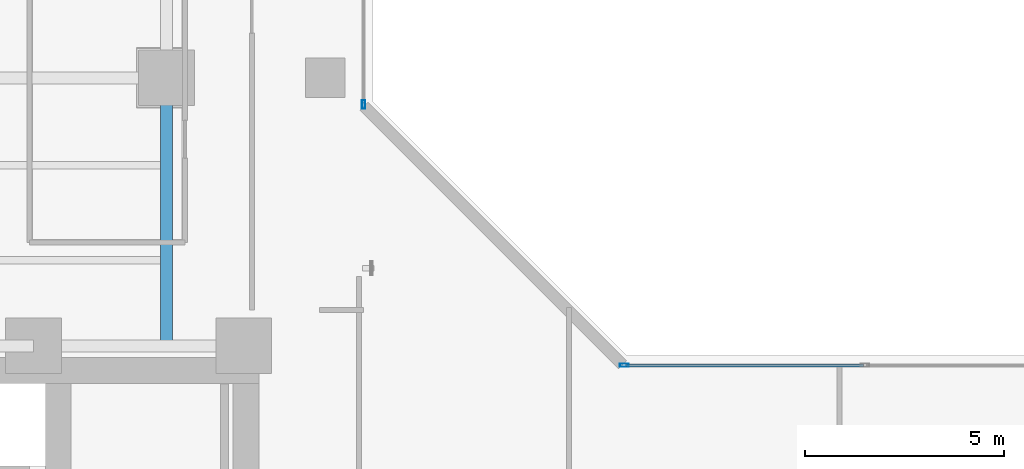
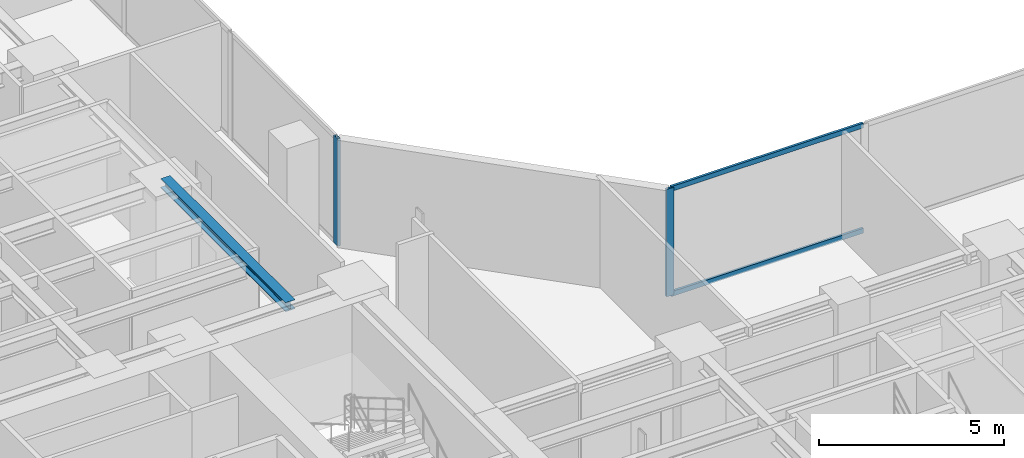
# One storey, part 9 of 27: 4 members, 1 beam, 2 elements without a shape of their own.
"""IFC4 building model written with IfcOpenShell, lengths in metres."""

from ifc_helpers import new_model, si_unit, direction, frame, origin, origin_with_axes, origin_2d, place, context, subcontext, project, spatial, hollow_rectangle, i_section, extrude, source, transform, mapped, material, layer, layer_set, material_profile, profile_set, type_object, element, aggregate, save


model = new_model("IFC4")

# Units and contexts
model_context = context("Model", 3, precision=1e-05, world=origin(), true_north=direction((0.0, 1.0)))
body_context = subcontext(model_context, "Body", "Model", "MODEL_VIEW")
ifc_project = project(units=[si_unit("LENGTHUNIT", "METRE"), si_unit("AREAUNIT", "SQUARE_METRE"), si_unit("VOLUMEUNIT", "CUBIC_METRE"), si_unit("PLANEANGLEUNIT", "RADIAN"), si_unit("MASSUNIT", "GRAM", prefix="KILO")], contexts=[model_context])

# Site, building, storey
site_placement = place(None, origin())
site = spatial("IfcSite", under=ifc_project, at=site_placement, CompositionType="ELEMENT")
building_placement = place(site_placement, origin())
building = spatial("IfcBuilding", under=site, at=building_placement, Name="Kolvaren Waterfront Exchange", CompositionType="ELEMENT")
storey_placement = place(building_placement, frame((0.0, 0.0, 118.300048828125)))
storey = spatial("IfcBuildingStorey", under=building, at=storey_placement, Name="L30", CompositionType="ELEMENT", Elevation=118.300048828125)

# Beam
ifc_material_1 = material(Name="Steel S355", Category="steel")
ifc_material_profile_1 = material_profile(ifc_material_1, i_section(OverallWidth=0.300048828125, OverallDepth=0.300048828125, WebThickness=0.010986328125, FlangeThickness=0.01904296875, FilletRadius=0.027099609375, at=origin_2d()), Name="HEB300")
ifc_profile_set_1 = profile_set([ifc_material_profile_1], Name="Steel S355")
beam_type = type_object("IfcBeamType", Name="STR-BM-HEB300", PredefinedType="SPANDREL", material=ifc_profile_set_1)
beam_placement = place(storey_placement, frame((18.800048828125, 24.449951171875, 3.389892578125), z_axis=(0.0, 1.0, 0.0), x_axis=(-1.0, 0.0, 0.0)))
element("IfcBeam", 1, at=beam_placement, inside=storey, type_object=beam_type, Name="L30 north-arm edge beam 1", PredefinedType="SPANDREL", context=body_context, shape_type="SweptSolid", body=[
    extrude(i_section(OverallWidth=0.300048828125, OverallDepth=0.300048828125, WebThickness=0.010986328125, FlangeThickness=0.01904296875, FilletRadius=0.027099609375, at=origin_2d()), origin(), (0.0, 0.0, 1.0), 6.75),
])

# Curtain wall, member
ifc_material_2 = material(Name="Anodised bronze aluminium 6063-T6", Category="aluminium")
ifc_layer = layer(ifc_material_2, 0.219970703125, Name="Anodised bronze aluminium 6063-T6")
ifc_layer_set = layer_set([ifc_layer], Name="Anodised bronze aluminium 6063-T6")
curtain_wall_type = type_object("IfcCurtainWallType", Name="ARC-CW-SYS1", PredefinedType="USERDEFINED", material=ifc_layer_set)
curtain_wall_1_placement = place(storey_placement, origin())
curtain_wall_1 = element("IfcCurtainWall", 2, at=curtain_wall_1_placement, inside=storey, type_object=curtain_wall_type, Name="L30 stick curtain wall CW1 (CW-L30-NE)", ObjectType="STICK CURTAIN WALL", PredefinedType="USERDEFINED")
ifc_material_3 = material(Name="Anodised aluminium 6063-T6", Category="aluminium")
ifc_material_profile_2 = material_profile(ifc_material_3, hollow_rectangle(XDim=0.080078125, YDim=0.219970703125, WallThickness=0.0048828125, at=origin_2d()), Name="ALU-MUL-220x80x5")
ifc_profile_set_2 = profile_set([ifc_material_profile_2], Name="Anodised aluminium 6063-T6")
member_type_1 = type_object("IfcMemberType", Name="ARC-CWM-220", PredefinedType="MULLION", material=ifc_profile_set_2)
shared_shape_1 = source(origin_with_axes(), body_context, "Body", "SweptSolid", [
    extrude(hollow_rectangle(XDim=0.080078125, YDim=0.219970703125, WallThickness=0.0048828125, at=origin_2d()), origin(), (0.0, 0.0, 1.0), 3.5400390625),
])
member_1_placement = place(storey_placement, frame((23.760009765625, 30.530029296875, 0.0), z_axis=(0.0, 0.0, 1.0), x_axis=(-1.0, 0.0, 0.0)))
member_1 = element("IfcMember", 3, at=member_1_placement, type_object=member_type_1, Name="CW1 mullion 1", PredefinedType="MULLION", context=body_context, shape_type="MappedRepresentation", body=[
    mapped(shared_shape_1, transform((0.0, 0.0, 0.0), x_axis=(1.0, 0.0, 0.0), y_axis=(0.0, 1.0, 0.0), z_axis=(0.0, 0.0, 1.0), scale=1.0)),
])
aggregate(curtain_wall_1, [member_1])

# Curtain wall, members
curtain_wall_2_placement = place(storey_placement, origin())
curtain_wall_2 = element("IfcCurtainWall", 4, at=curtain_wall_2_placement, inside=storey, type_object=curtain_wall_type, Name="L30 stick curtain wall CW1 (CW-L30-EN)", ObjectType="STICK CURTAIN WALL", PredefinedType="USERDEFINED")
member_2_placement = place(storey_placement, frame((30.330078125, 23.9599609375, 0.0), z_axis=(0.0, 0.0, 1.0), x_axis=(0.0, 1.0, 0.0)))
member_2 = element("IfcMember", 5, at=member_2_placement, type_object=member_type_1, Name="CW1 mullion 1", PredefinedType="MULLION", context=body_context, shape_type="MappedRepresentation", body=[
    mapped(shared_shape_1, transform((0.0, 0.0, 0.0), x_axis=(1.0, 0.0, 0.0), y_axis=(0.0, 1.0, 0.0), z_axis=(0.0, 0.0, 1.0), scale=1.0)),
])
ifc_material_profile_3 = material_profile(ifc_material_3, hollow_rectangle(XDim=0.074951171875, YDim=0.159912109375, WallThickness=0.00439453125, at=origin_2d()), Name="ALU-TRN-160x75x4.5")
ifc_profile_set_3 = profile_set([ifc_material_profile_3], Name="Anodised aluminium 6063-T6")
member_type_2 = type_object("IfcMemberType", Name="ARC-CWT-160", PredefinedType="USERDEFINED", material=ifc_profile_set_3)
shared_shape_2 = source(origin_with_axes(), body_context, "Body", "SweptSolid", [
    extrude(hollow_rectangle(XDim=0.074951171875, YDim=0.159912109375, WallThickness=0.00439453125, at=origin_2d()), origin(), (0.0, 0.0, 1.0), 5.982421875),
])
member_3_placement = place(storey_placement, frame((30.3701171875, 23.9599609375, 0.037353515625), z_axis=(1.0, 0.0, 0.0), x_axis=(0.0, 1.0, 0.0)))
member_3 = element("IfcMember", 6, at=member_3_placement, type_object=member_type_2, Name="CW1 transom 1.1", ObjectType="TRANSOM", PredefinedType="USERDEFINED", context=body_context, shape_type="MappedRepresentation", body=[
    mapped(shared_shape_2, transform((0.0, 0.0, 0.0), x_axis=(1.0, 0.0, 0.0), y_axis=(0.0, 1.0, 0.0), z_axis=(0.0, 0.0, 1.0), scale=1.0)),
])
member_4_placement = place(storey_placement, frame((30.3701171875, 23.9599609375, 3.50244140625), z_axis=(1.0, 0.0, 0.0), x_axis=(0.0, 1.0, 0.0)))
member_4 = element("IfcMember", 7, at=member_4_placement, type_object=member_type_2, Name="CW1 transom 1.2", ObjectType="TRANSOM", PredefinedType="USERDEFINED", context=body_context, shape_type="MappedRepresentation", body=[
    mapped(shared_shape_2, transform((0.0, 0.0, 0.0), x_axis=(1.0, 0.0, 0.0), y_axis=(0.0, 1.0, 0.0), z_axis=(0.0, 0.0, 1.0), scale=1.0)),
])
aggregate(curtain_wall_2, [member_2, member_3, member_4])

save(model, "model.ifc")
